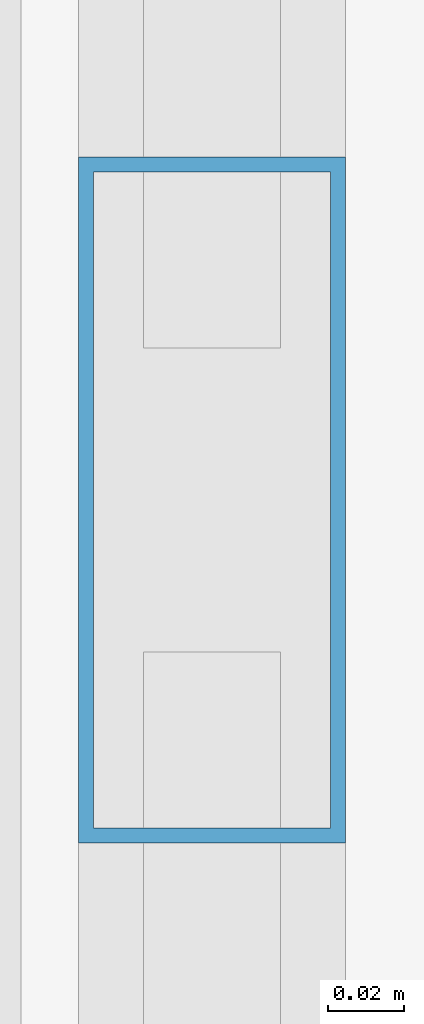
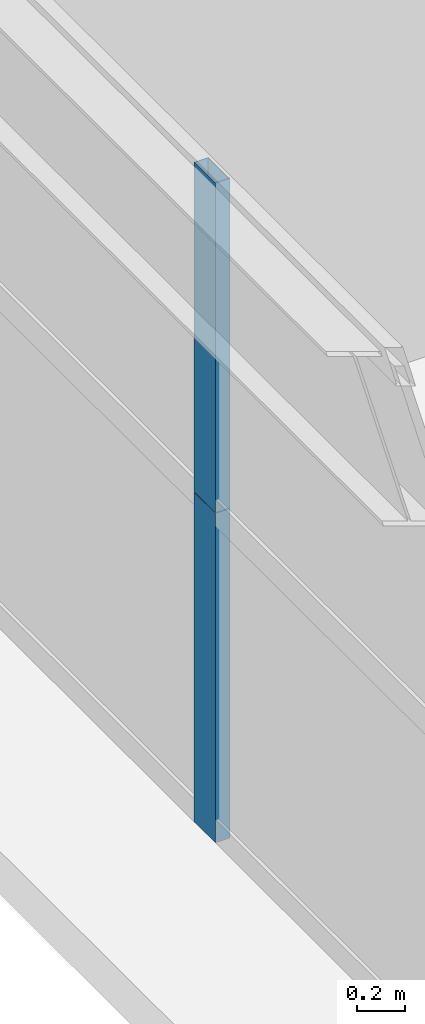
# One storey, part 9 of 43: 2 members, 1 element without a shape of its own.
"""IFC4 building model written with IfcOpenShell, lengths in metres."""

from ifc_helpers import new_model, si_unit, direction, frame, origin, origin_2d, place, context, subcontext, project, spatial, hollow_rectangle, extrude, source, transform, mapped, material, layer, layer_set, material_profile, profile_set, type_object, element, aggregate, save


model = new_model("IFC4")

# Units and contexts
model_context = context("Model", 3, precision=1e-05, world=origin(), true_north=direction((0.0, 1.0)))
body_context = subcontext(model_context, "Body", "Model", "MODEL_VIEW")
ifc_project = project(units=[si_unit("LENGTHUNIT", "METRE"), si_unit("AREAUNIT", "SQUARE_METRE"), si_unit("VOLUMEUNIT", "CUBIC_METRE"), si_unit("PLANEANGLEUNIT", "RADIAN"), si_unit("MASSUNIT", "GRAM", prefix="KILO"), si_unit("THERMODYNAMICTEMPERATUREUNIT", "KELVIN"), si_unit("POWERUNIT", "WATT")], contexts=[model_context])

# Site, building, storey
site_placement = place(None, origin())
site = spatial("IfcSite", under=ifc_project, at=site_placement, CompositionType="ELEMENT")
building_placement = place(site_placement, origin())
building = spatial("IfcBuilding", under=site, at=building_placement, Name="Yuzanri Waterfront Tower", CompositionType="ELEMENT")
storey_placement = place(building_placement, frame((0.0, 0.0, 74.800048828125)))
storey = spatial("IfcBuildingStorey", under=building, at=storey_placement, Name="L19", CompositionType="ELEMENT", Elevation=74.800048828125)

# Curtain wall, members
ifc_material_1 = material(Name="Anodized Architectural Bronze", Category="metal")
ifc_layer = layer(ifc_material_1, 0.159912109375)
ifc_layer_set = layer_set([ifc_layer], Name="Anodized Architectural Bronze")
curtain_wall_type = type_object("IfcCurtainWallType", Name="Anodized Bronze Hotel Lower-Tier Recessed Unitized Curtain Wall 8100", PredefinedType="NOTDEFINED", material=ifc_layer_set)
curtain_wall_placement = place(storey_placement, origin())
curtain_wall = element("IfcCurtainWall", 1, at=curtain_wall_placement, inside=storey, type_object=curtain_wall_type, Name="L19 Curtain Wall CW-L19-WL", PredefinedType="NOTDEFINED")
ifc_material_2 = material(Name="Anodized Architectural Bronze", Category="metal")
ifc_material_profile = material_profile(ifc_material_2, hollow_rectangle(XDim=0.070068359375, YDim=0.179931640625, WallThickness=0.00390625, at=origin_2d()), Name="CWM 70x180")
ifc_profile_set = profile_set([ifc_material_profile], Name="Anodized Architectural Bronze")
member_type = type_object("IfcMemberType", Name="Anodized Bronze Standard Curtain-Wall Mullion 70x180", PredefinedType="MULLION", material=ifc_profile_set)
shared_shape = source(origin(), body_context, "Body", "SweptSolid", [
    extrude(hollow_rectangle(XDim=0.070068359375, YDim=0.179931640625, WallThickness=0.00390625, at=origin_2d()), origin(), (0.0, 0.0, 1.0), 1.68798828125),
])
member_1_placement = place(storey_placement, frame((12.050048828125, 16.699951171875, 0.0), z_axis=(0.0, 0.0, 1.0), x_axis=(1.0, 0.0, 0.0)))
member_1 = element("IfcMember", 2, at=member_1_placement, type_object=member_type, Name="CW-L19-WL Lower Mullion 01", PredefinedType="MULLION", context=body_context, shape_type="MappedRepresentation", body=[
    mapped(shared_shape, transform((0.0, 0.0, 0.0), scale=1.0)),
])
member_2_placement = place(storey_placement, frame((12.050048828125, 16.699951171875, 1.69189453125), z_axis=(0.0, 0.0, 1.0), x_axis=(1.0, 0.0, 0.0)))
member_2 = element("IfcMember", 3, at=member_2_placement, type_object=member_type, Name="CW-L19-WL Upper Mullion 01", PredefinedType="MULLION", context=body_context, shape_type="MappedRepresentation", body=[
    mapped(shared_shape, transform((0.0, 0.0, 0.0), scale=1.0)),
])
aggregate(curtain_wall, [member_1, member_2])

save(model, "model.ifc")
